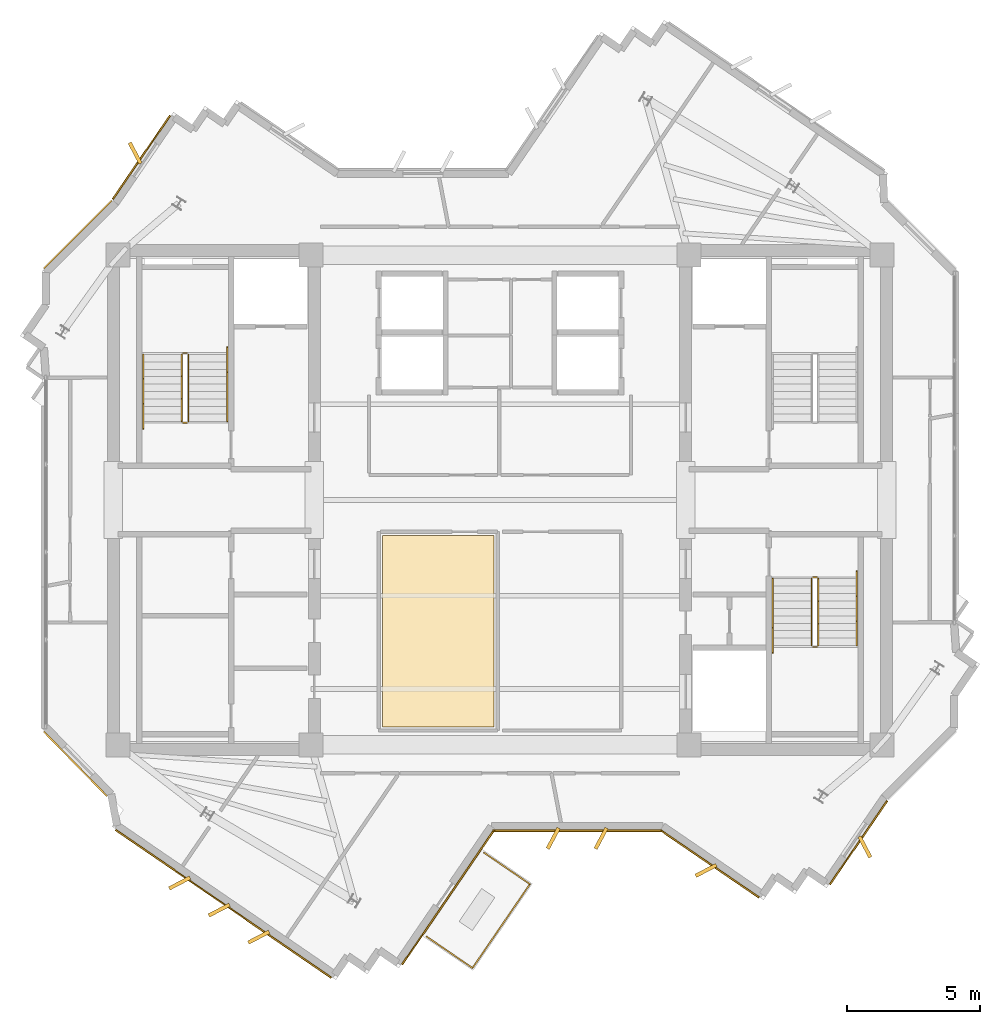
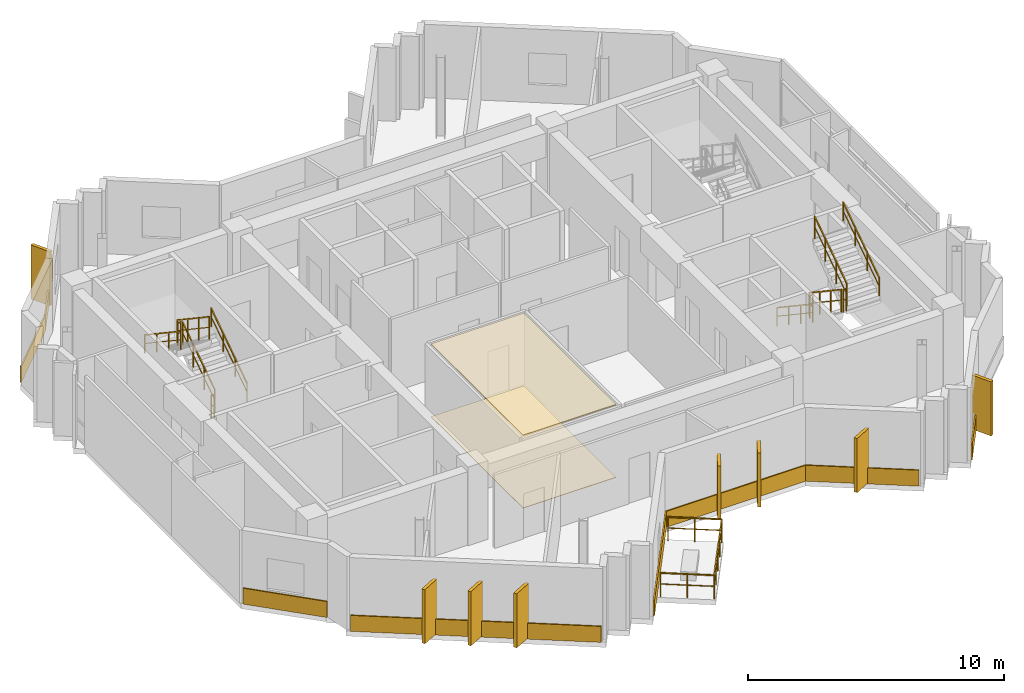
# One storey, part 10 of 11: 18 coverings, 15 railings.
"""IFC4 building model written with IfcOpenShell, lengths in metres."""

from ifc_helpers import new_model, si_unit, direction, frame, origin, origin_2d, place, context, subcontext, project, spatial, polyline, rectangle, outline, extrude, source, transform, mapped, material, layer, layer_set, type_object, element, save


model = new_model("IFC4")

# Units and contexts
model_context = context("Model", 3, precision=1e-05, world=origin(), true_north=direction((0.0, 1.0)))
body_context = subcontext(model_context, "Body", "Model", "MODEL_VIEW")
ifc_project = project(units=[si_unit("LENGTHUNIT", "METRE"), si_unit("AREAUNIT", "SQUARE_METRE"), si_unit("VOLUMEUNIT", "CUBIC_METRE"), si_unit("PLANEANGLEUNIT", "RADIAN"), si_unit("MASSUNIT", "GRAM", prefix="KILO")], contexts=[model_context])

# Site, building, storey
site_placement = place(None, origin())
site = spatial("IfcSite", under=ifc_project, at=site_placement, CompositionType="ELEMENT")
building_placement = place(site_placement, origin())
building = spatial("IfcBuilding", under=site, at=building_placement, Name="Zahravan Cultural Tower", CompositionType="ELEMENT")
storey_placement = place(building_placement, frame((0.0, 0.0, 338.550048828125)))
storey = spatial("IfcBuildingStorey", under=building, at=storey_placement, Name="L82", CompositionType="ELEMENT", Elevation=338.550048828125)

# Coverings
ifc_material_1 = material(Name="Acoustic mineral fibreboard")
ifc_layer_1 = layer(ifc_material_1, 0.0400390625)
ifc_layer_set_1 = layer_set([ifc_layer_1], Name="Acoustic mineral fibreboard")
covering_type_1 = type_object("IfcCoveringType", Name="COV-CEIL-AC20", PredefinedType="CEILING", material=ifc_layer_set_1)
covering_1_placement = place(storey_placement, frame((0.0, 0.0, 3.4599609375)))
element("IfcCovering", 1, at=covering_1_placement, inside=storey, type_object=covering_type_1, Name="L82 Acoustic Suspended Ceiling", PredefinedType="CEILING", context=body_context, shape_type="SweptSolid", body=[
    extrude(outline(polyline([(35.77001953125, 25.669921875), (31.580078125, 25.669921875), (31.580078125, 18.47998046875), (35.77001953125, 18.47998046875), (35.77001953125, 25.669921875)])), origin(), (0.0, 0.0, 1.0), 0.0400390625),
])
ifc_material_2 = material(Name="Terrazzo flooring")
ifc_layer_2 = layer(ifc_material_2, 0.02490234375)
ifc_layer_set_2 = layer_set([ifc_layer_2], Name="Terrazzo flooring")
covering_type_2 = type_object("IfcCoveringType", Name="COV-FLR-TZ25", PredefinedType="FLOORING", material=ifc_layer_set_2)
covering_2_placement = place(storey_placement, origin())
element("IfcCovering", 2, at=covering_2_placement, inside=storey, type_object=covering_type_2, Name="L82 Polished Terrazzo Flooring", PredefinedType="FLOORING", context=body_context, shape_type="SweptSolid", body=[
    extrude(outline(polyline([(35.77001953125, 25.669921875), (31.580078125, 25.669921875), (31.580078125, 18.47998046875), (35.77001953125, 18.47998046875), (35.77001953125, 25.669921875)])), origin(), (0.0, 0.0, 1.0), 0.02490234375),
])

# Railings
ifc_material_3 = material(Name="Steel ASTM A572 Grade 50", Category="steel")
railing_type_1 = type_object("IfcRailingType", Name="RL-BAL-1150", PredefinedType="BALUSTRADE", material=ifc_material_3)
railing_1_placement = place(storey_placement, frame((37.125, 12.571044921875, 0.0)))
element("IfcRailing", 3, at=railing_1_placement, inside=storey, type_object=railing_type_1, Name="L82 Edge Balustrade GRD-TR-L82-SW-01", PredefinedType="BALUSTRADE", context=body_context, shape_type="SweptSolid", body=[
    extrude(rectangle(XDim=0.05, YDim=0.05, at=origin_2d()), frame((0.0, 0.0, 1.125), z_axis=(-0.564981732672, -0.825103412759, 0.0), x_axis=(0.825103412759, -0.564981732672, 0.0)), (0.0, 0.0, 1.0), 3.820068359375),
    extrude(rectangle(XDim=0.032, YDim=0.032, at=origin_2d()), frame((0.0, 0.0, 0.597900390625), z_axis=(-0.564981732672, -0.825103412759, 0.0), x_axis=(0.825103412759, -0.564981732672, 0.0)), (0.0, 0.0, 1.0), 3.820068359375),
    extrude(rectangle(XDim=0.04, YDim=0.04, at=origin_2d()), origin(), (0.0, 0.0, 1.0), 1.14990234375),
    extrude(rectangle(XDim=0.04, YDim=0.04, at=origin_2d()), frame((-0.53955078125, -0.7880859375, 0.0)), (0.0, 0.0, 1.0), 1.14990234375),
    extrude(rectangle(XDim=0.04, YDim=0.04, at=origin_2d()), frame((-1.0791015625, -1.575927734375, 0.0)), (0.0, 0.0, 1.0), 1.14990234375),
    extrude(rectangle(XDim=0.04, YDim=0.04, at=origin_2d()), frame((-1.61865234375, -2.36376953125, 0.0)), (0.0, 0.0, 1.0), 1.14990234375),
    extrude(rectangle(XDim=0.04, YDim=0.04, at=origin_2d()), frame((-2.158203125, -3.15185546875, 0.0)), (0.0, 0.0, 1.0), 1.14990234375),
])
railing_2_placement = place(storey_placement, frame((34.966796875, 9.419189453125, 0.0)))
element("IfcRailing", 4, at=railing_2_placement, inside=storey, type_object=railing_type_1, Name="L82 Edge Balustrade GRD-TR-L82-SW-02", PredefinedType="BALUSTRADE", context=body_context, shape_type="SweptSolid", body=[
    extrude(rectangle(XDim=0.05, YDim=0.05, at=origin_2d()), frame((0.0, 0.0, 1.125), z_axis=(-0.825119027376, 0.564958928296, 0.0), x_axis=(-0.564958928296, -0.825119027376, 0.0)), (0.0, 0.0, 1.0), 2.10009765625),
    extrude(rectangle(XDim=0.032, YDim=0.032, at=origin_2d()), frame((0.0, 0.0, 0.597900390625), z_axis=(-0.825119027376, 0.564958928296, 0.0), x_axis=(-0.564958928296, -0.825119027376, 0.0)), (0.0, 0.0, 1.0), 2.10009765625),
    extrude(rectangle(XDim=0.04, YDim=0.04, at=origin_2d()), origin(), (0.0, 0.0, 1.0), 1.14990234375),
    extrude(rectangle(XDim=0.04, YDim=0.04, at=origin_2d()), frame((-0.866455078125, 0.59326171875, 0.0)), (0.0, 0.0, 1.0), 1.14990234375),
    extrude(rectangle(XDim=0.04, YDim=0.04, at=origin_2d()), frame((-1.73291015625, 1.1865234375, 0.0)), (0.0, 0.0, 1.0), 1.14990234375),
])
railing_3_placement = place(storey_placement, frame((35.39208984375, 13.757568359375, 0.0)))
element("IfcRailing", 5, at=railing_3_placement, inside=storey, type_object=railing_type_1, Name="L82 Edge Balustrade GRD-TR-L82-SW-03", PredefinedType="BALUSTRADE", context=body_context, shape_type="SweptSolid", body=[
    extrude(rectangle(XDim=0.05, YDim=0.05, at=origin_2d()), frame((0.0, 0.0, 1.125), z_axis=(0.825119027376, -0.564958928296, 0.0), x_axis=(0.564958928296, 0.825119027376, 0.0)), (0.0, 0.0, 1.0), 2.10009765625),
    extrude(rectangle(XDim=0.032, YDim=0.032, at=origin_2d()), frame((0.0, 0.0, 0.597900390625), z_axis=(0.825119027376, -0.564958928296, 0.0), x_axis=(0.564958928296, 0.825119027376, 0.0)), (0.0, 0.0, 1.0), 2.10009765625),
    extrude(rectangle(XDim=0.04, YDim=0.04, at=origin_2d()), origin(), (0.0, 0.0, 1.0), 1.14990234375),
    extrude(rectangle(XDim=0.04, YDim=0.04, at=origin_2d()), frame((0.866455078125, -0.59326171875, 0.0)), (0.0, 0.0, 1.0), 1.14990234375),
    extrude(rectangle(XDim=0.04, YDim=0.04, at=origin_2d()), frame((1.73291015625, -1.1865234375, 0.0)), (0.0, 0.0, 1.0), 1.14990234375),
])
railing_type_2 = type_object("IfcRailingType", Name="RL-STAIR-GRD1150", PredefinedType="BALUSTRADE", material=ifc_material_3)
railing_4_placement = place(storey_placement, frame((24.300048828125, 29.949951171875, 0.1875)))
element("IfcRailing", 6, at=railing_4_placement, inside=storey, type_object=railing_type_2, Name="L82 ST-W1 stair guard 1", PredefinedType="BALUSTRADE", context=body_context, shape_type="SweptSolid", body=[
    extrude(rectangle(XDim=0.05, YDim=0.05, at=origin_2d()), frame((0.0, 0.0, 1.0751953125), z_axis=(0.0, 0.830909170722, 0.55640807867), x_axis=(-1.0, 0.0, 0.0)), (0.0, 0.0, 1.0), 3.032958984375),
    extrude(rectangle(XDim=0.032, YDim=0.032, at=origin_2d()), frame((0.0, 0.0, 0.572021484375), z_axis=(0.0, 0.830909170722, 0.55640807867), x_axis=(-1.0, 0.0, 0.0)), (0.0, 0.0, 1.0), 3.032958984375),
    extrude(rectangle(XDim=0.04, YDim=0.04, at=origin_2d()), origin(), (0.0, 0.0, 1.0), 1.10009765625),
    extrude(rectangle(XDim=0.04, YDim=0.04, at=origin_2d()), frame((0.0, 0.840087890625, 0.5625)), (0.0, 0.0, 1.0), 1.10009765625),
    extrude(rectangle(XDim=0.04, YDim=0.04, at=origin_2d()), frame((0.0, 1.679931640625, 1.125)), (0.0, 0.0, 1.0), 1.10009765625),
    extrude(rectangle(XDim=0.04, YDim=0.04, at=origin_2d()), frame((0.0, 2.52001953125, 1.6875)), (0.0, 0.0, 1.0), 1.10009765625),
])
railing_5_placement = place(storey_placement, frame((24.25, 32.52001953125, 1.875)))
element("IfcRailing", 7, at=railing_5_placement, inside=storey, type_object=railing_type_2, Name="L82 ST-W1 stair guard 2", PredefinedType="BALUSTRADE", context=body_context, shape_type="SweptSolid", body=[
    extrude(rectangle(XDim=0.05, YDim=0.05, at=origin_2d()), frame((0.0, 0.0, 1.0751953125), z_axis=(-1.0, 0.0, 0.0), x_axis=(0.0, -1.0, 0.0)), (0.0, 0.0, 1.0), 0.14990234375),
    extrude(rectangle(XDim=0.032, YDim=0.032, at=origin_2d()), frame((0.0, 0.0, 0.572021484375), z_axis=(-1.0, 0.0, 0.0), x_axis=(0.0, -1.0, 0.0)), (0.0, 0.0, 1.0), 0.14990234375),
    extrude(rectangle(XDim=0.04, YDim=0.04, at=origin_2d()), origin(), (0.0, 0.0, 1.0), 1.10009765625),
    extrude(rectangle(XDim=0.04, YDim=0.04, at=origin_2d()), frame((-0.14990234375, 0.0, 0.0)), (0.0, 0.0, 1.0), 1.10009765625),
])
railing_6_placement = place(storey_placement, frame((24.050048828125, 32.469970703125, 2.0625)))
element("IfcRailing", 8, at=railing_6_placement, inside=storey, type_object=railing_type_2, Name="L82 ST-W1 stair guard 3", PredefinedType="BALUSTRADE", context=body_context, shape_type="SweptSolid", body=[
    extrude(rectangle(XDim=0.05, YDim=0.05, at=origin_2d()), frame((0.0, 0.0, 1.0751953125), z_axis=(0.0, -0.830909170722, 0.55640807867), x_axis=(1.0, 0.0, 0.0)), (0.0, 0.0, 1.0), 3.032958984375),
    extrude(rectangle(XDim=0.032, YDim=0.032, at=origin_2d()), frame((0.0, 0.0, 0.572021484375), z_axis=(0.0, -0.830909170722, 0.55640807867), x_axis=(1.0, 0.0, 0.0)), (0.0, 0.0, 1.0), 3.032958984375),
    extrude(rectangle(XDim=0.04, YDim=0.04, at=origin_2d()), origin(), (0.0, 0.0, 1.0), 1.10009765625),
    extrude(rectangle(XDim=0.04, YDim=0.04, at=origin_2d()), frame((0.0, -0.840087890625, 0.5625)), (0.0, 0.0, 1.0), 1.10009765625),
    extrude(rectangle(XDim=0.04, YDim=0.04, at=origin_2d()), frame((0.0, -1.679931640625, 1.125)), (0.0, 0.0, 1.0), 1.10009765625),
    extrude(rectangle(XDim=0.04, YDim=0.04, at=origin_2d()), frame((0.0, -2.52001953125, 1.6875)), (0.0, 0.0, 1.0), 1.10009765625),
])
railing_7_placement = place(storey_placement, frame((24.25, 29.89990234375, 0.0)))
element("IfcRailing", 9, at=railing_7_placement, inside=storey, type_object=railing_type_2, Name="L82 ST-W1 stair guard 4", PredefinedType="BALUSTRADE", context=body_context, shape_type="SweptSolid", body=[
    extrude(rectangle(XDim=0.05, YDim=0.05, at=origin_2d()), frame((0.0, 0.0, 1.0751953125), z_axis=(-1.0, 0.0, 0.0), x_axis=(0.0, -1.0, 0.0)), (0.0, 0.0, 1.0), 0.14990234375),
    extrude(rectangle(XDim=0.032, YDim=0.032, at=origin_2d()), frame((0.0, 0.0, 0.572021484375), z_axis=(-1.0, 0.0, 0.0), x_axis=(0.0, -1.0, 0.0)), (0.0, 0.0, 1.0), 0.14990234375),
    extrude(rectangle(XDim=0.04, YDim=0.04, at=origin_2d()), origin(), (0.0, 0.0, 1.0), 1.10009765625),
    extrude(rectangle(XDim=0.04, YDim=0.04, at=origin_2d()), frame((-0.14990234375, 0.0, 0.0)), (0.0, 0.0, 1.0), 1.10009765625),
])
railing_8_placement = place(storey_placement, frame((47.699951171875, 24.050048828125, 0.1875)))
element("IfcRailing", 10, at=railing_8_placement, inside=storey, type_object=railing_type_2, Name="L82 ST-E2 stair guard 1", PredefinedType="BALUSTRADE", context=body_context, shape_type="SweptSolid", body=[
    extrude(rectangle(XDim=0.05, YDim=0.05, at=origin_2d()), frame((0.0, 0.0, 1.0751953125), z_axis=(0.0, -0.830909170722, 0.55640807867), x_axis=(1.0, 0.0, 0.0)), (0.0, 0.0, 1.0), 3.032958984375),
    extrude(rectangle(XDim=0.032, YDim=0.032, at=origin_2d()), frame((0.0, 0.0, 0.572021484375), z_axis=(0.0, -0.830909170722, 0.55640807867), x_axis=(1.0, 0.0, 0.0)), (0.0, 0.0, 1.0), 3.032958984375),
    extrude(rectangle(XDim=0.04, YDim=0.04, at=origin_2d()), origin(), (0.0, 0.0, 1.0), 1.10009765625),
    extrude(rectangle(XDim=0.04, YDim=0.04, at=origin_2d()), frame((0.0, -0.840087890625, 0.5625)), (0.0, 0.0, 1.0), 1.10009765625),
    extrude(rectangle(XDim=0.04, YDim=0.04, at=origin_2d()), frame((0.0, -1.679931640625, 1.125)), (0.0, 0.0, 1.0), 1.10009765625),
    extrude(rectangle(XDim=0.04, YDim=0.04, at=origin_2d()), frame((0.0, -2.52001953125, 1.6875)), (0.0, 0.0, 1.0), 1.10009765625),
])
railing_9_placement = place(storey_placement, frame((47.75, 21.47998046875, 1.875)))
element("IfcRailing", 11, at=railing_9_placement, inside=storey, type_object=railing_type_2, Name="L82 ST-E2 stair guard 2", PredefinedType="BALUSTRADE", context=body_context, shape_type="SweptSolid", body=[
    extrude(rectangle(XDim=0.05, YDim=0.05, at=origin_2d()), frame((0.0, 0.0, 1.0751953125), z_axis=(1.0, 0.0, 0.0), x_axis=(0.0, 1.0, 0.0)), (0.0, 0.0, 1.0), 0.14990234375),
    extrude(rectangle(XDim=0.032, YDim=0.032, at=origin_2d()), frame((0.0, 0.0, 0.572021484375), z_axis=(1.0, 0.0, 0.0), x_axis=(0.0, 1.0, 0.0)), (0.0, 0.0, 1.0), 0.14990234375),
    extrude(rectangle(XDim=0.04, YDim=0.04, at=origin_2d()), origin(), (0.0, 0.0, 1.0), 1.10009765625),
    extrude(rectangle(XDim=0.04, YDim=0.04, at=origin_2d()), frame((0.14990234375, 0.0, 0.0)), (0.0, 0.0, 1.0), 1.10009765625),
])
railing_10_placement = place(storey_placement, frame((47.949951171875, 21.530029296875, 2.0625)))
element("IfcRailing", 12, at=railing_10_placement, inside=storey, type_object=railing_type_2, Name="L82 ST-E2 stair guard 3", PredefinedType="BALUSTRADE", context=body_context, shape_type="SweptSolid", body=[
    extrude(rectangle(XDim=0.05, YDim=0.05, at=origin_2d()), frame((0.0, 0.0, 1.0751953125), z_axis=(0.0, 0.830909170722, 0.55640807867), x_axis=(-1.0, 0.0, 0.0)), (0.0, 0.0, 1.0), 3.032958984375),
    extrude(rectangle(XDim=0.032, YDim=0.032, at=origin_2d()), frame((0.0, 0.0, 0.572021484375), z_axis=(0.0, 0.830909170722, 0.55640807867), x_axis=(-1.0, 0.0, 0.0)), (0.0, 0.0, 1.0), 3.032958984375),
    extrude(rectangle(XDim=0.04, YDim=0.04, at=origin_2d()), origin(), (0.0, 0.0, 1.0), 1.10009765625),
    extrude(rectangle(XDim=0.04, YDim=0.04, at=origin_2d()), frame((0.0, 0.840087890625, 0.5625)), (0.0, 0.0, 1.0), 1.10009765625),
    extrude(rectangle(XDim=0.04, YDim=0.04, at=origin_2d()), frame((0.0, 1.679931640625, 1.125)), (0.0, 0.0, 1.0), 1.10009765625),
    extrude(rectangle(XDim=0.04, YDim=0.04, at=origin_2d()), frame((0.0, 2.52001953125, 1.6875)), (0.0, 0.0, 1.0), 1.10009765625),
])
railing_11_placement = place(storey_placement, frame((47.75, 24.10009765625, 0.0)))
element("IfcRailing", 13, at=railing_11_placement, inside=storey, type_object=railing_type_2, Name="L82 ST-E2 stair guard 4", PredefinedType="BALUSTRADE", context=body_context, shape_type="SweptSolid", body=[
    extrude(rectangle(XDim=0.05, YDim=0.05, at=origin_2d()), frame((0.0, 0.0, 1.0751953125), z_axis=(1.0, 0.0, 0.0), x_axis=(0.0, 1.0, 0.0)), (0.0, 0.0, 1.0), 0.14990234375),
    extrude(rectangle(XDim=0.032, YDim=0.032, at=origin_2d()), frame((0.0, 0.0, 0.572021484375), z_axis=(1.0, 0.0, 0.0), x_axis=(0.0, 1.0, 0.0)), (0.0, 0.0, 1.0), 0.14990234375),
    extrude(rectangle(XDim=0.04, YDim=0.04, at=origin_2d()), origin(), (0.0, 0.0, 1.0), 1.10009765625),
    extrude(rectangle(XDim=0.04, YDim=0.04, at=origin_2d()), frame((0.14990234375, 0.0, 0.0)), (0.0, 0.0, 1.0), 1.10009765625),
])
railing_type_3 = type_object("IfcRailingType", Name="RL-STAIR-HR900", PredefinedType="HANDRAIL", material=ifc_material_3)
railing_12_placement = place(storey_placement, frame((25.75, 29.949951171875, 0.1875)))
element("IfcRailing", 14, at=railing_12_placement, inside=storey, type_object=railing_type_3, Name="L82 ST-W1 stair handrail 1", PredefinedType="HANDRAIL", context=body_context, shape_type="SweptSolid", body=[
    extrude(rectangle(XDim=0.05, YDim=0.05, at=origin_2d()), frame((0.0, 0.0, 0.875), z_axis=(0.0, 0.830911662861, 0.55640435703), x_axis=(-1.0, 0.0, 0.0)), (0.0, 0.0, 1.0), 3.369873046875),
    extrude(rectangle(XDim=0.032, YDim=0.032, at=origin_2d()), frame((0.0, 0.0, 0.468017578125), z_axis=(0.0, 0.830911662861, 0.55640435703), x_axis=(-1.0, 0.0, 0.0)), (0.0, 0.0, 1.0), 3.369873046875),
    extrude(rectangle(XDim=0.04, YDim=0.04, at=origin_2d()), origin(), (0.0, 0.0, 1.0), 0.89990234375),
    extrude(rectangle(XDim=0.04, YDim=0.04, at=origin_2d()), frame((0.0, 0.933349609375, 0.625)), (0.0, 0.0, 1.0), 0.89990234375),
    extrude(rectangle(XDim=0.04, YDim=0.04, at=origin_2d()), frame((0.0, 1.86669921875, 1.25)), (0.0, 0.0, 1.0), 0.89990234375),
    extrude(rectangle(XDim=0.04, YDim=0.04, at=origin_2d()), frame((0.0, 2.800048828125, 1.875)), (0.0, 0.0, 1.0), 0.89990234375),
])
for number, where, name in (
    (15, (22.60009765625, 32.469970703125, 2.0625), "L82 ST-W1 stair handrail 2"),
    (16, (46.25, 24.050048828125, 0.1875), "L82 ST-E2 stair handrail 1"),
):
    element("IfcRailing", number, at=place(storey_placement, frame(where)), inside=storey, type_object=railing_type_3, Name=name, PredefinedType="HANDRAIL", context=body_context, shape_type="SweptSolid", body=[
        extrude(rectangle(XDim=0.05, YDim=0.05, at=origin_2d()), frame((0.0, 0.0, 0.875), z_axis=(0.0, -0.830911662861, 0.55640435703), x_axis=(1.0, 0.0, 0.0)), (0.0, 0.0, 1.0), 3.369873046875),
        extrude(rectangle(XDim=0.032, YDim=0.032, at=origin_2d()), frame((0.0, 0.0, 0.468017578125), z_axis=(0.0, -0.830911662861, 0.55640435703), x_axis=(1.0, 0.0, 0.0)), (0.0, 0.0, 1.0), 3.369873046875),
        extrude(rectangle(XDim=0.04, YDim=0.04, at=origin_2d()), origin(), (0.0, 0.0, 1.0), 0.89990234375),
        extrude(rectangle(XDim=0.04, YDim=0.04, at=origin_2d()), frame((0.0, -0.933349609375, 0.625)), (0.0, 0.0, 1.0), 0.89990234375),
        extrude(rectangle(XDim=0.04, YDim=0.04, at=origin_2d()), frame((0.0, -1.86669921875, 1.25)), (0.0, 0.0, 1.0), 0.89990234375),
        extrude(rectangle(XDim=0.04, YDim=0.04, at=origin_2d()), frame((0.0, -2.800048828125, 1.875)), (0.0, 0.0, 1.0), 0.89990234375),
    ])
railing_13_placement = place(storey_placement, frame((49.39990234375, 21.530029296875, 2.0625)))
element("IfcRailing", 17, at=railing_13_placement, inside=storey, type_object=railing_type_3, Name="L82 ST-E2 stair handrail 2", PredefinedType="HANDRAIL", context=body_context, shape_type="SweptSolid", body=[
    extrude(rectangle(XDim=0.05, YDim=0.05, at=origin_2d()), frame((0.0, 0.0, 0.875), z_axis=(0.0, 0.830911662861, 0.55640435703), x_axis=(-1.0, 0.0, 0.0)), (0.0, 0.0, 1.0), 3.369873046875),
    extrude(rectangle(XDim=0.032, YDim=0.032, at=origin_2d()), frame((0.0, 0.0, 0.468017578125), z_axis=(0.0, 0.830911662861, 0.55640435703), x_axis=(-1.0, 0.0, 0.0)), (0.0, 0.0, 1.0), 3.369873046875),
    extrude(rectangle(XDim=0.04, YDim=0.04, at=origin_2d()), origin(), (0.0, 0.0, 1.0), 0.89990234375),
    extrude(rectangle(XDim=0.04, YDim=0.04, at=origin_2d()), frame((0.0, 0.933349609375, 0.625)), (0.0, 0.0, 1.0), 0.89990234375),
    extrude(rectangle(XDim=0.04, YDim=0.04, at=origin_2d()), frame((0.0, 1.86669921875, 1.25)), (0.0, 0.0, 1.0), 0.89990234375),
    extrude(rectangle(XDim=0.04, YDim=0.04, at=origin_2d()), frame((0.0, 2.800048828125, 1.875)), (0.0, 0.0, 1.0), 0.89990234375),
])

# Coverings
ifc_material_4 = material(Name="Terracotta ceramic cladding", Category="masonry")
ifc_layer_3 = layer(ifc_material_4, 0.06005859375)
ifc_layer_set_3 = layer_set([ifc_layer_3], Name="Terracotta ceramic cladding")
covering_type_3 = type_object("IfcCoveringType", Name="COV-CLAD-TC60", PredefinedType="CLADDING", material=ifc_layer_set_3)
shared_shape_1 = source(origin(), body_context, "Body", "SweptSolid", [
    extrude(rectangle(XDim=9.820068359375, YDim=0.06005859375, at=origin_2d()), origin(), (0.0, 0.0, 1.0), 0.760009765625),
])
covering_3_placement = place(storey_placement, frame((25.613037109375, 11.830322265625, 0.02001953125), z_axis=(0.0, 0.0, 1.0), x_axis=(-0.825123358687, 0.564952602392, 0.0)))
element("IfcCovering", 18, at=covering_3_placement, inside=storey, type_object=covering_type_3, Name="L82 Terracotta Spandrel Cladding 39", PredefinedType="CLADDING", context=body_context, shape_type="MappedRepresentation", body=[
    mapped(shared_shape_1, transform((0.0, 0.0, 0.0), x_axis=(1.0, 0.0, 0.0), y_axis=(0.0, 1.0, 0.0), z_axis=(0.0, 0.0, 1.0), scale=1.0)),
])
shared_shape_2 = source(origin(), body_context, "Body", "SweptSolid", [
    extrude(rectangle(XDim=0.8798828125, YDim=0.139892578125, at=origin_2d()), origin(), (0.0, 0.0, 1.0), 2.580078125),
])
for number, where, z_axis, x_axis, name in (
    (19, (22.29443359375, 40.02978515625, 0.0498046875), (0.0, 0.0, 1.0), (-0.46331150222, 0.886195493055, 0.0), "L82 Herringbone Terracotta Fin 01"),
    (20, (49.70556640625, 13.97021484375, 0.0498046875), (0.0, 0.0, 1.0), (0.46331150222, -0.886195493055, 0.0), "L82 Herringbone Terracotta Fin 10"),
    (21, (43.73828125, 13.08447265625, 0.0498046875), (0.0, 0.0, 1.0), (-0.886203579231, -0.46329603512, 0.0), "L82 Herringbone Terracotta Fin 11"),
    (22, (39.797119140625, 14.2900390625, 0.0498046875), (0.0, 0.0, 1.0), (-0.469471562786, -0.882947592859, 0.0), "L82 Herringbone Terracotta Fin 12"),
    (23, (37.9970703125, 14.2900390625, 0.0498046875), (0.0, 0.0, 1.0), (-0.469471562786, -0.882947592859, 0.0), "L82 Herringbone Terracotta Fin 13"),
    (24, (26.937255859375, 10.578125, 0.0498046875), (0.0, 0.0, 1.0), (-0.886195493055, -0.46331150222, 0.0), "L82 Herringbone Terracotta Fin 14"),
    (25, (25.4521484375, 11.59521484375, 0.0498046875), (0.0, 0.0, 1.0), (-0.886195493055, -0.46331150222, 0.0), "L82 Herringbone Terracotta Fin 15"),
    (26, (23.966796875, 12.612060546875, 0.0498046875), (0.0, 0.0, 1.0), (-0.886195493055, -0.46331150222, 0.0), "L82 Herringbone Terracotta Fin 16"),
):
    element("IfcCovering", number, at=place(storey_placement, frame(where, z_axis=z_axis, x_axis=x_axis)), inside=storey, type_object=covering_type_3, Name=name, PredefinedType="CLADDING", context=body_context, shape_type="MappedRepresentation", body=[
        mapped(shared_shape_2, transform((0.0, 0.0, 0.0), x_axis=(1.0, 0.0, 0.0), y_axis=(0.0, 1.0, 0.0), z_axis=(0.0, 0.0, 1.0), scale=1.0)),
    ])
shared_shape_3 = source(origin(), body_context, "Body", "SweptSolid", [
    extrude(rectangle(XDim=3.40771484375, YDim=0.06005859375, at=origin_2d()), origin(), (0.0, 0.0, 1.0), 0.760009765625),
])
covering_4_placement = place(storey_placement, frame((20.04833984375, 17.0888671875, 0.02001953125), z_axis=(0.0, 0.0, 1.0), x_axis=(-0.699189330443, 0.714936556762, 0.0)))
element("IfcCovering", 27, at=covering_4_placement, inside=storey, type_object=covering_type_3, Name="L82 Terracotta Spandrel Cladding 01", PredefinedType="CLADDING", context=body_context, shape_type="MappedRepresentation", body=[
    mapped(shared_shape_3, transform((0.0, 0.0, 0.0), x_axis=(1.0, 0.0, 0.0), y_axis=(0.0, 1.0, 0.0), z_axis=(0.0, 0.0, 1.0), scale=1.0)),
])
shared_shape_4 = source(origin(), body_context, "Body", "SweptSolid", [
    extrude(rectangle(XDim=3.609619140625, YDim=0.06005859375, at=origin_2d()), origin(), (0.0, 0.0, 1.0), 0.760009765625),
])
covering_5_placement = place(storey_placement, frame((20.134765625, 36.97021484375, 0.02001953125), z_axis=(0.0, 0.0, 1.0), x_axis=(0.707106781187, 0.707106781187, 0.0)))
element("IfcCovering", 28, at=covering_5_placement, inside=storey, type_object=covering_type_3, Name="L82 Terracotta Spandrel Cladding 06", PredefinedType="CLADDING", context=body_context, shape_type="MappedRepresentation", body=[
    mapped(shared_shape_4, transform((0.0, 0.0, 0.0), x_axis=(1.0, 0.0, 0.0), y_axis=(0.0, 1.0, 0.0), z_axis=(0.0, 0.0, 1.0), scale=1.0)),
])
shared_shape_5 = source(origin(), body_context, "Body", "SweptSolid", [
    extrude(rectangle(XDim=3.803955078125, YDim=0.06005859375, at=origin_2d()), origin(), (0.0, 0.0, 1.0), 0.760009765625),
])
for number, where, z_axis, x_axis, name in (
    (29, (22.52978515625, 39.868896484375, 0.02001953125), (0.0, 0.0, 1.0), (0.564952602392, 0.825123358687, 0.0), "L82 Terracotta Spandrel Cladding 07"),
    (30, (49.47021484375, 14.131103515625, 0.02001953125), (0.0, 0.0, 1.0), (-0.564952602392, -0.825123358687, 0.0), "L82 Terracotta Spandrel Cladding 27"),
):
    element("IfcCovering", number, at=place(storey_placement, frame(where, z_axis=z_axis, x_axis=x_axis)), inside=storey, type_object=covering_type_3, Name=name, PredefinedType="CLADDING", context=body_context, shape_type="MappedRepresentation", body=[
        mapped(shared_shape_5, transform((0.0, 0.0, 0.0), x_axis=(1.0, 0.0, 0.0), y_axis=(0.0, 1.0, 0.0), z_axis=(0.0, 0.0, 1.0), scale=1.0)),
    ])
shared_shape_6 = source(origin(), body_context, "Body", "SweptSolid", [
    extrude(rectangle(XDim=4.4462890625, YDim=0.06005859375, at=origin_2d()), origin(), (0.0, 0.0, 1.0), 0.760009765625),
])
covering_6_placement = place(storey_placement, frame((43.8994140625, 13.319580078125, 0.02001953125), z_axis=(0.0, 0.0, 1.0), x_axis=(-0.825113498278, 0.564967003425, 0.0)))
element("IfcCovering", 31, at=covering_6_placement, inside=storey, type_object=covering_type_3, Name="L82 Terracotta Spandrel Cladding 32", PredefinedType="CLADDING", context=body_context, shape_type="MappedRepresentation", body=[
    mapped(shared_shape_6, transform((0.0, 0.0, 0.0), x_axis=(1.0, 0.0, 0.0), y_axis=(0.0, 1.0, 0.0), z_axis=(0.0, 0.0, 1.0), scale=1.0)),
])
shared_shape_7 = source(origin(), body_context, "Body", "SweptSolid", [
    extrude(rectangle(XDim=6.340087890625, YDim=0.06005859375, at=origin_2d()), origin(), (0.0, 0.0, 1.0), 0.760009765625),
])
covering_7_placement = place(storey_placement, frame((38.89697265625, 14.574951171875, 0.02001953125), z_axis=(0.0, 0.0, 1.0), x_axis=(-1.0, 0.0, 0.0)))
element("IfcCovering", 32, at=covering_7_placement, inside=storey, type_object=covering_type_3, Name="L82 Terracotta Spandrel Cladding 33", PredefinedType="CLADDING", context=body_context, shape_type="MappedRepresentation", body=[
    mapped(shared_shape_7, transform((0.0, 0.0, 0.0), x_axis=(1.0, 0.0, 0.0), y_axis=(0.0, 1.0, 0.0), z_axis=(0.0, 0.0, 1.0), scale=1.0)),
])
shared_shape_8 = source(origin(), body_context, "Body", "SweptSolid", [
    extrude(rectangle(XDim=6.12158203125, YDim=0.06005859375, at=origin_2d()), origin(), (0.0, 0.0, 1.0), 0.760009765625),
])
covering_8_placement = place(storey_placement, frame((34.0556640625, 12.080078125, 0.02001953125), z_axis=(0.0, 0.0, 1.0), x_axis=(-0.564967003425, -0.825113498278, 0.0)))
element("IfcCovering", 33, at=covering_8_placement, inside=storey, type_object=covering_type_3, Name="L82 Terracotta Spandrel Cladding 34", PredefinedType="CLADDING", context=body_context, shape_type="MappedRepresentation", body=[
    mapped(shared_shape_8, transform((0.0, 0.0, 0.0), x_axis=(1.0, 0.0, 0.0), y_axis=(0.0, 1.0, 0.0), z_axis=(0.0, 0.0, 1.0), scale=1.0)),
])

save(model, "model.ifc")
